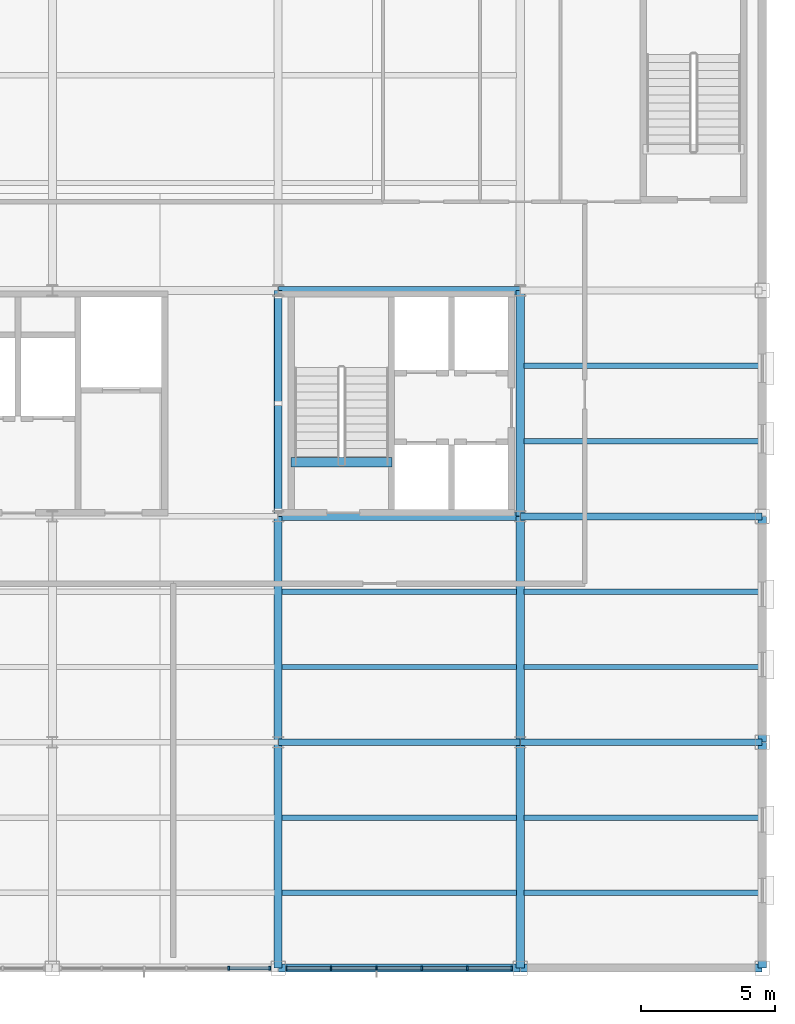
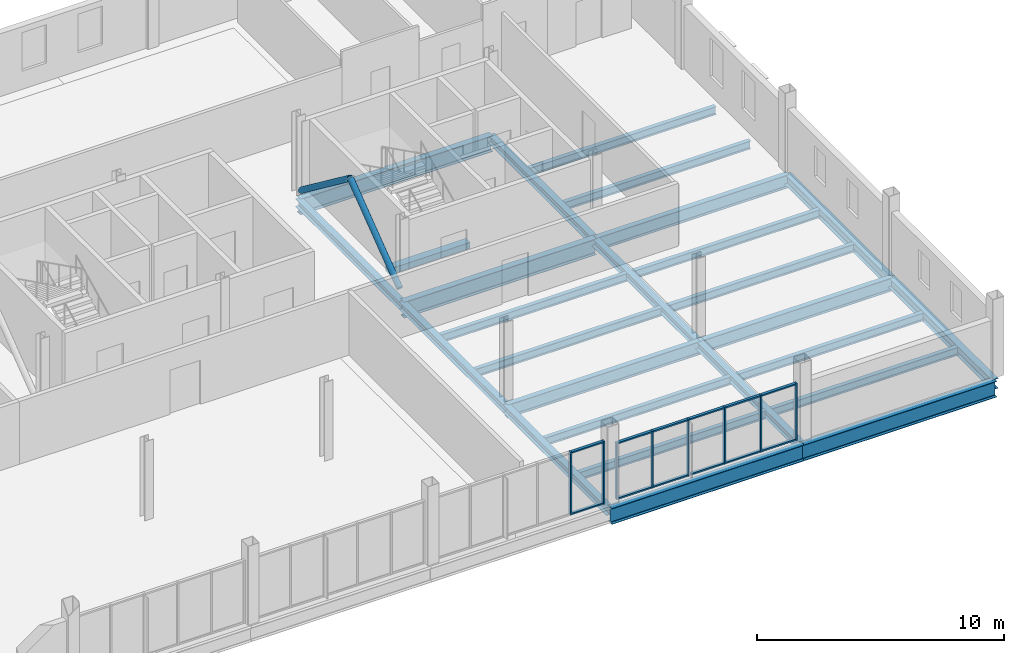
# One storey, part 7 of 17: 26 beams, 22 members, 2 elements without a shape of their own.
"""IFC4 building model written with IfcOpenShell, lengths in metres."""

from ifc_helpers import new_model, si_unit, direction, frame, origin, origin_2d, place, context, subcontext, project, spatial, rectangle, hollow_circle, i_section, extrude, material, layer, layer_set, material_profile, profile_set, type_object, element, aggregate, save


model = new_model("IFC4")

# Units and contexts
model_context = context("Model", 3, precision=1e-05, world=origin(), true_north=direction((0.0, 1.0)))
body_context = subcontext(model_context, "Body", "Model", "MODEL_VIEW")
ifc_project = project(units=[si_unit("LENGTHUNIT", "METRE"), si_unit("AREAUNIT", "SQUARE_METRE"), si_unit("VOLUMEUNIT", "CUBIC_METRE"), si_unit("PLANEANGLEUNIT", "RADIAN"), si_unit("MASSUNIT", "GRAM", prefix="KILO")], contexts=[model_context])

# Site, building, storey
site_placement = place(None, origin())
site = spatial("IfcSite", under=ifc_project, at=site_placement, CompositionType="ELEMENT")
building_placement = place(site_placement, origin())
building = spatial("IfcBuilding", under=site, at=building_placement, Name="Yukiwa Park Conservatory and Herbarium", CompositionType="ELEMENT")
storey_placement = place(building_placement, frame((0.0, 0.0, 17.10009765625)))
storey = spatial("IfcBuildingStorey", under=building, at=storey_placement, Name="L04", CompositionType="ELEMENT", Elevation=17.10009765625)

# Beams
ifc_material_1 = material(Name="Steel Q355D", Category="steel")
ifc_material_profile_1 = material_profile(ifc_material_1, i_section(OverallWidth=0.300048828125, OverallDepth=0.389892578125, WebThickness=0.010009765625, FlangeThickness=0.01611328125, FilletRadius=0.02001953125, at=origin_2d()), Name="HM 390x300x10x16")
ifc_profile_set_1 = profile_set([ifc_material_profile_1], Name="Steel Q355D")
beam_type_1 = type_object("IfcBeamType", Name="BM-GRD-HM390", PredefinedType="BEAM", material=ifc_profile_set_1)
for number, where, z_axis, x_axis, name in (
    (1, (150.0, 78.006103515625, -0.47509765625), (0.0, 1.0, 0.0), (-1.0, 0.0, 0.0), "L04 grid girder Y-46"),
    (2, (150.0, 86.406005859375, -0.47509765625), (0.0, 1.0, 0.0), (-1.0, 0.0, 0.0), "L04 grid girder Y-47"),
):
    element("IfcBeam", number, at=place(storey_placement, frame(where, z_axis=z_axis, x_axis=x_axis)), inside=storey, type_object=beam_type_1, Name=name, PredefinedType="BEAM", context=body_context, shape_type="SweptSolid", body=[
        extrude(i_section(OverallWidth=0.300048828125, OverallDepth=0.389892578125, WebThickness=0.010009765625, FlangeThickness=0.01611328125, FilletRadius=0.02001953125, at=origin_2d()), origin(), (0.0, 0.0, 1.0), 8.387939453125),
    ])
beam_1_placement = place(storey_placement, frame((150.0, 94.805908203125, -0.47509765625), z_axis=(0.0, 1.0, 0.0), x_axis=(-1.0, 0.0, 0.0)))
element("IfcBeam", 3, at=beam_1_placement, inside=storey, type_object=beam_type_1, Name="L04 grid girder Y-48", PredefinedType="BEAM", context=body_context, shape_type="SweptSolid", body=[
    extrude(i_section(OverallWidth=0.300048828125, OverallDepth=0.389892578125, WebThickness=0.010009765625, FlangeThickness=0.01611328125, FilletRadius=0.02001953125, at=origin_2d()), origin(), (0.0, 0.0, 1.0), 8.38818359375),
])
for number, where, z_axis, x_axis, name in (
    (4, (159.0, 78.006103515625, -0.47509765625), (0.0, 1.0, 0.0), (-1.0, 0.0, 0.0), "L04 grid girder Y-50"),
    (5, (159.0, 86.406005859375, -0.47509765625), (0.0, 1.0, 0.0), (-1.0, 0.0, 0.0), "L04 grid girder Y-51"),
):
    element("IfcBeam", number, at=place(storey_placement, frame(where, z_axis=z_axis, x_axis=x_axis)), inside=storey, type_object=beam_type_1, Name=name, PredefinedType="BEAM", context=body_context, shape_type="SweptSolid", body=[
        extrude(i_section(OverallWidth=0.300048828125, OverallDepth=0.389892578125, WebThickness=0.010009765625, FlangeThickness=0.01611328125, FilletRadius=0.02001953125, at=origin_2d()), origin(), (0.0, 0.0, 1.0), 8.387939453125),
    ])
beam_2_placement = place(storey_placement, frame((159.0, 94.805908203125, -0.47509765625), z_axis=(0.0, 1.0, 0.0), x_axis=(-1.0, 0.0, 0.0)))
element("IfcBeam", 6, at=beam_2_placement, inside=storey, type_object=beam_type_1, Name="L04 grid girder Y-52", PredefinedType="BEAM", context=body_context, shape_type="SweptSolid", body=[
    extrude(i_section(OverallWidth=0.300048828125, OverallDepth=0.389892578125, WebThickness=0.010009765625, FlangeThickness=0.01611328125, FilletRadius=0.02001953125, at=origin_2d()), origin(), (0.0, 0.0, 1.0), 8.38818359375),
])
ifc_material_2 = material(Name="Steel Q355D", Category="steel")
ifc_material_profile_2 = material_profile(ifc_material_2, i_section(OverallWidth=0.25, OverallDepth=0.64990234375, WebThickness=0.011962890625, FlangeThickness=0.02001953125, FilletRadius=0.02392578125, at=origin_2d()), Name="HN 650x250x12x20")
ifc_profile_set_2 = profile_set([ifc_material_profile_2], Name="Steel Q355D")
beam_type_2 = type_object("IfcBeamType", Name="BM-GRD-HN650", PredefinedType="BEAM", material=ifc_profile_set_2)
for number, where, z_axis, x_axis, name in (
    (7, (150.006103515625, 86.39990234375, -0.60498046875), (1.0, 0.0, 0.0), (0.0, 1.0, 0.0), "L04 grid beam X-11"),
    (8, (159.006103515625, 86.39990234375, -0.60498046875), (1.0, 0.0, 0.0), (0.0, 1.0, 0.0), "L04 grid beam X-12"),
    (9, (159.006103515625, 94.800048828125, -0.60498046875), (1.0, 0.0, 0.0), (0.0, 1.0, 0.0), "L04 grid beam X-18"),
):
    element("IfcBeam", number, at=place(storey_placement, frame(where, z_axis=z_axis, x_axis=x_axis)), inside=storey, type_object=beam_type_2, Name=name, PredefinedType="BEAM", context=body_context, shape_type="SweptSolid", body=[
        extrude(i_section(OverallWidth=0.25, OverallDepth=0.64990234375, WebThickness=0.011962890625, FlangeThickness=0.02001953125, FilletRadius=0.02392578125, at=origin_2d()), origin(), (0.0, 0.0, 1.0), 8.98779296875),
    ])
ifc_material_3 = material(Name="Steel Q355D", Category="steel")
ifc_material_profile_3 = material_profile(ifc_material_3, i_section(OverallWidth=0.198974609375, OverallDepth=0.39599609375, WebThickness=0.007080078125, FlangeThickness=0.010986328125, FilletRadius=0.01611328125, at=origin_2d()), Name="HN 396x199x7x11")
ifc_profile_set_3 = profile_set([ifc_material_profile_3], Name="Steel Q355D")
beam_type_3 = type_object("IfcBeamType", Name="BM-JST-HN396", PredefinedType="JOIST", material=ifc_profile_set_3)
for number, where, z_axis, x_axis, name in (
    (10, (150.14599609375, 80.800048828125, -0.47802734375), (1.0, 0.0, 0.0), (0.0, 1.0, 0.0), "L04 composite floor joist 29"),
    (11, (150.14599609375, 83.60009765625, -0.47802734375), (1.0, 0.0, 0.0), (0.0, 1.0, 0.0), "L04 composite floor joist 30"),
    (12, (150.14599609375, 89.199951171875, -0.47802734375), (1.0, 0.0, 0.0), (0.0, 1.0, 0.0), "L04 composite floor joist 31"),
    (13, (150.14599609375, 92.0, -0.47802734375), (1.0, 0.0, 0.0), (0.0, 1.0, 0.0), "L04 composite floor joist 32"),
    (14, (159.14599609375, 80.800048828125, -0.47802734375), (1.0, 0.0, 0.0), (0.0, 1.0, 0.0), "L04 composite floor joist 35"),
    (15, (159.14599609375, 83.60009765625, -0.47802734375), (1.0, 0.0, 0.0), (0.0, 1.0, 0.0), "L04 composite floor joist 36"),
    (16, (159.14599609375, 89.199951171875, -0.47802734375), (1.0, 0.0, 0.0), (0.0, 1.0, 0.0), "L04 composite floor joist 37"),
    (17, (159.14599609375, 92.0, -0.47802734375), (1.0, 0.0, 0.0), (0.0, 1.0, 0.0), "L04 composite floor joist 38"),
    (18, (159.14599609375, 97.60009765625, -0.47802734375), (1.0, 0.0, 0.0), (0.0, 1.0, 0.0), "L04 composite floor joist 39"),
    (19, (159.14599609375, 100.39990234375, -0.47802734375), (1.0, 0.0, 0.0), (0.0, 1.0, 0.0), "L04 composite floor joist 40"),
):
    element("IfcBeam", number, at=place(storey_placement, frame(where, z_axis=z_axis, x_axis=x_axis)), inside=storey, type_object=beam_type_3, Name=name, PredefinedType="JOIST", context=body_context, shape_type="SweptSolid", body=[
        extrude(i_section(OverallWidth=0.198974609375, OverallDepth=0.39599609375, WebThickness=0.007080078125, FlangeThickness=0.010986328125, FilletRadius=0.01611328125, at=origin_2d()), origin(), (0.0, 0.0, 1.0), 8.7080078125),
    ])
ifc_material_4 = material(Name="Steel Q355D", Category="steel")
ifc_material_profile_4 = material_profile(ifc_material_4, i_section(OverallWidth=0.300048828125, OverallDepth=0.5, WebThickness=0.010986328125, FlangeThickness=0.01806640625, FilletRadius=0.02392578125, at=origin_2d()), Name="HM 500x300x11x18")
ifc_profile_set_4 = profile_set([ifc_material_profile_4], Name="Steel Q355D")
beam_type_4 = type_object("IfcBeamType", Name="BM-SPN-HN500", PredefinedType="SPANDREL", material=ifc_profile_set_4)
for number, where, z_axis, x_axis, name in (
    (20, (168.0, 78.006103515625, -0.530029296875), (0.0, 1.0, 0.0), (-1.0, 0.0, 0.0), "L04 spandrel girder Y-54"),
    (21, (168.0, 86.406005859375, -0.530029296875), (0.0, 1.0, 0.0), (-1.0, 0.0, 0.0), "L04 spandrel girder Y-55"),
):
    element("IfcBeam", number, at=place(storey_placement, frame(where, z_axis=z_axis, x_axis=x_axis)), inside=storey, type_object=beam_type_4, Name=name, PredefinedType="SPANDREL", context=body_context, shape_type="SweptSolid", body=[
        extrude(i_section(OverallWidth=0.300048828125, OverallDepth=0.5, WebThickness=0.010986328125, FlangeThickness=0.01806640625, FilletRadius=0.02392578125, at=origin_2d()), origin(), (0.0, 0.0, 1.0), 8.387939453125),
    ])
ifc_material_5 = material(Name="Steel Q355D", Category="steel")
ifc_material_profile_5 = material_profile(ifc_material_5, i_section(OverallWidth=0.300048828125, OverallDepth=0.7919921875, WebThickness=0.013916015625, FlangeThickness=0.02197265625, FilletRadius=0.028076171875, at=origin_2d()), Name="HN 792x300x14x22")
ifc_profile_set_5 = profile_set([ifc_material_profile_5], Name="Steel Q355D")
beam_type_5 = type_object("IfcBeamType", Name="BM-SPN-HN600", PredefinedType="SPANDREL", material=ifc_profile_set_5)
for number, where, z_axis, x_axis, name in (
    (22, (150.006103515625, 78.0, -0.676025390625), (1.0, 0.0, 0.0), (0.0, 1.0, 0.0), "L04 spandrel beam X-5"),
    (23, (159.006103515625, 78.0, -0.676025390625), (1.0, 0.0, 0.0), (0.0, 1.0, 0.0), "L04 spandrel beam X-6"),
    (24, (150.006103515625, 94.800048828125, -0.676025390625), (1.0, 0.0, 0.0), (0.0, 1.0, 0.0), "L04 spandrel beam X-17"),
    (25, (150.006103515625, 103.199951171875, -0.676025390625), (1.0, 0.0, 0.0), (0.0, 1.0, 0.0), "L04 spandrel beam X-23"),
):
    element("IfcBeam", number, at=place(storey_placement, frame(where, z_axis=z_axis, x_axis=x_axis)), inside=storey, type_object=beam_type_5, Name=name, PredefinedType="SPANDREL", context=body_context, shape_type="SweptSolid", body=[
        extrude(i_section(OverallWidth=0.300048828125, OverallDepth=0.7919921875, WebThickness=0.013916015625, FlangeThickness=0.02197265625, FilletRadius=0.028076171875, at=origin_2d()), origin(), (0.0, 0.0, 1.0), 8.98779296875),
    ])
ifc_material_6 = material(Name="Concrete C40", Category="concrete")
ifc_material_profile_6 = material_profile(ifc_material_6, rectangle(XDim=0.35009765625, YDim=0.300048828125, at=origin_2d()), Name="RC 350x300")
ifc_profile_set_6 = profile_set([ifc_material_profile_6], Name="Concrete C40")
beam_type_6 = type_object("IfcBeamType", Name="BM-STAIR-TRIM", PredefinedType="BEAM", material=ifc_profile_set_6)
beam_3_placement = place(storey_placement, frame((150.47998046875, 96.81005859375, -0.150146484375), z_axis=(1.0, 0.0, 0.0), x_axis=(0.0, 1.0, 0.0)))
element("IfcBeam", 26, at=beam_3_placement, inside=storey, type_object=beam_type_6, Name="Stair ST-T2 L04 landing trimmer beam", PredefinedType="BEAM", context=body_context, shape_type="SweptSolid", body=[
    extrude(rectangle(XDim=0.35009765625, YDim=0.300048828125, at=origin_2d()), origin(), (0.0, 0.0, 1.0), 3.75),
])

# Members
ifc_material_7 = material(Name="Steel Q355D", Category="steel")
ifc_material_profile_7 = material_profile(ifc_material_7, hollow_circle(Radius=0.136474609375, WallThickness=0.010009765625, at=origin_2d()), Name="CHS 273x10")
ifc_profile_set_7 = profile_set([ifc_material_profile_7], Name="Steel Q355D")
member_type_1 = type_object("IfcMemberType", Name="MB-BR-CHS273", PredefinedType="BRACE", material=ifc_profile_set_7)
for number, where, z_axis, x_axis, name in (
    (27, (150.0, 95.00537109375, 0.204833984375), (0.0, 0.797689076374, 0.603068932572), (-1.0, 0.0, 0.0), "L04 concentric chevron brace 31"),
    (28, (150.0, 102.99462890625, 0.204833984375), (0.0, -0.797689076374, 0.603068932572), (1.0, 0.0, 0.0), "L04 concentric chevron brace 32"),
):
    element("IfcMember", number, at=place(storey_placement, frame(where, z_axis=z_axis, x_axis=x_axis)), inside=storey, type_object=member_type_1, Name=name, PredefinedType="BRACE", context=body_context, shape_type="SweptSolid", body=[
        extrude(hollow_circle(Radius=0.136474609375, WallThickness=0.010009765625, at=origin_2d()), origin(), (0.0, 0.0, 1.0), 5.0078125),
    ])

# Curtain wall, members
ifc_material_8 = material(Name="Triple Low-E Insulated Glass", Category="glass")
ifc_layer = layer(ifc_material_8, 0.199951171875)
ifc_layer_set = layer_set([ifc_layer], Name="Triple Low-E Insulated Glass")
curtain_wall_type = type_object("IfcCurtainWallType", Name="CW-VISITOR-1600", PredefinedType="NOTDEFINED", material=ifc_layer_set)
curtain_wall_1_placement = place(storey_placement, origin())
curtain_wall_1 = element("IfcCurtainWall", 29, at=curtain_wall_1_placement, inside=storey, type_object=curtain_wall_type, Name="L04 unitised curtain wall CW-L04-074", PredefinedType="NOTDEFINED")
ifc_material_9 = material(Name="Anodised Aluminium", Category="aluminium")
member_type_2 = type_object("IfcMemberType", Name="MB-CW-MUL-70X150", PredefinedType="MULLION", material=ifc_material_9)
member_1_placement = place(storey_placement, frame((148.155029296875, 78.0, -0.000244140625), z_axis=(0.0, 0.0, 1.0), x_axis=(1.0, 0.0, 0.0)))
member_1 = element("IfcMember", 30, at=member_1_placement, type_object=member_type_2, Name="CW-L04-074 mullion 5", PredefinedType="MULLION", context=body_context, shape_type="SweptSolid", body=[
    extrude(rectangle(XDim=0.070068359375, YDim=0.14990234375, at=origin_2d()), origin(), (0.0, 0.0, 1.0), 3.10009765625),
])
member_2_placement = place(storey_placement, frame((149.68994140625, 78.0, -0.000244140625), z_axis=(0.0, 0.0, 1.0), x_axis=(1.0, 0.0, 0.0)))
member_2 = element("IfcMember", 31, at=member_2_placement, type_object=member_type_2, Name="CW-L04-074 mullion 6", PredefinedType="MULLION", context=body_context, shape_type="SweptSolid", body=[
    extrude(rectangle(XDim=0.070068359375, YDim=0.14990234375, at=origin_2d()), origin(), (0.0, 0.0, 1.0), 3.10009765625),
])

curtain_wall_2_placement = place(storey_placement, origin())
curtain_wall_2 = element("IfcCurtainWall", 32, at=curtain_wall_2_placement, inside=storey, type_object=curtain_wall_type, Name="L04 unitised curtain wall CW-L04-075", PredefinedType="NOTDEFINED")
member_3_placement = place(storey_placement, frame((150.31005859375, 78.0, -0.000244140625), z_axis=(0.0, 0.0, 1.0), x_axis=(1.0, 0.0, 0.0)))
member_3 = element("IfcMember", 33, at=member_3_placement, type_object=member_type_2, Name="CW-L04-075 mullion 1", PredefinedType="MULLION", context=body_context, shape_type="SweptSolid", body=[
    extrude(rectangle(XDim=0.070068359375, YDim=0.14990234375, at=origin_2d()), origin(), (0.0, 0.0, 1.0), 2.80810546875),
])
member_4_placement = place(storey_placement, frame((151.965087890625, 78.0, -0.000244140625), z_axis=(0.0, 0.0, 1.0), x_axis=(1.0, 0.0, 0.0)))
member_4 = element("IfcMember", 34, at=member_4_placement, type_object=member_type_2, Name="CW-L04-075 mullion 2", PredefinedType="MULLION", context=body_context, shape_type="SweptSolid", body=[
    extrude(rectangle(XDim=0.070068359375, YDim=0.14990234375, at=origin_2d()), origin(), (0.0, 0.0, 1.0), 2.80810546875),
])
member_5_placement = place(storey_placement, frame((153.655029296875, 78.0, -0.000244140625), z_axis=(0.0, 0.0, 1.0), x_axis=(1.0, 0.0, 0.0)))
member_5 = element("IfcMember", 35, at=member_5_placement, type_object=member_type_2, Name="CW-L04-075 mullion 3", PredefinedType="MULLION", context=body_context, shape_type="SweptSolid", body=[
    extrude(rectangle(XDim=0.070068359375, YDim=0.14990234375, at=origin_2d()), origin(), (0.0, 0.0, 1.0), 2.80810546875),
])
member_6_placement = place(storey_placement, frame((155.344970703125, 78.0, -0.000244140625), z_axis=(0.0, 0.0, 1.0), x_axis=(1.0, 0.0, 0.0)))
member_6 = element("IfcMember", 36, at=member_6_placement, type_object=member_type_2, Name="CW-L04-075 mullion 4", PredefinedType="MULLION", context=body_context, shape_type="SweptSolid", body=[
    extrude(rectangle(XDim=0.070068359375, YDim=0.14990234375, at=origin_2d()), origin(), (0.0, 0.0, 1.0), 2.80810546875),
])
member_7_placement = place(storey_placement, frame((157.034912109375, 78.0, -0.000244140625), z_axis=(0.0, 0.0, 1.0), x_axis=(1.0, 0.0, 0.0)))
member_7 = element("IfcMember", 37, at=member_7_placement, type_object=member_type_2, Name="CW-L04-075 mullion 5", PredefinedType="MULLION", context=body_context, shape_type="SweptSolid", body=[
    extrude(rectangle(XDim=0.070068359375, YDim=0.14990234375, at=origin_2d()), origin(), (0.0, 0.0, 1.0), 2.80810546875),
])
member_8_placement = place(storey_placement, frame((158.68994140625, 78.0, -0.000244140625), z_axis=(0.0, 0.0, 1.0), x_axis=(1.0, 0.0, 0.0)))
member_8 = element("IfcMember", 38, at=member_8_placement, type_object=member_type_2, Name="CW-L04-075 mullion 6", PredefinedType="MULLION", context=body_context, shape_type="SweptSolid", body=[
    extrude(rectangle(XDim=0.070068359375, YDim=0.14990234375, at=origin_2d()), origin(), (0.0, 0.0, 1.0), 2.80810546875),
])

# Member
ifc_material_10 = material(Name="Anodised Aluminium", Category="aluminium")
member_type_3 = type_object("IfcMemberType", Name="MB-CW-TRN-70X130", PredefinedType="USERDEFINED", material=ifc_material_10)
member_9_placement = place(storey_placement, frame((148.93994140625, 78.0, 0.0), z_axis=(0.0, 0.0, 1.0), x_axis=(1.0, 0.0, 0.0)))
member_9 = element("IfcMember", 39, at=member_9_placement, type_object=member_type_3, Name="CW-L04-074 transom 5.1", ObjectType="TRANSOM", PredefinedType="USERDEFINED", context=body_context, shape_type="SweptSolid", body=[
    extrude(rectangle(XDim=1.5, YDim=0.1298828125, at=origin_2d()), origin(), (0.0, 0.0, 1.0), 0.070068359375),
])

member_10_placement = place(storey_placement, frame((148.93994140625, 78.0, 3.02978515625), z_axis=(0.0, 0.0, 1.0), x_axis=(1.0, 0.0, 0.0)))
member_10 = element("IfcMember", 40, at=member_10_placement, type_object=member_type_3, Name="CW-L04-074 transom 5.2", ObjectType="TRANSOM", PredefinedType="USERDEFINED", context=body_context, shape_type="SweptSolid", body=[
    extrude(rectangle(XDim=1.5, YDim=0.1298828125, at=origin_2d()), origin(), (0.0, 0.0, 1.0), 0.070068359375),
])

aggregate(curtain_wall_1, [member_1, member_2, member_9, member_10])

member_11_placement = place(storey_placement, frame((151.1201171875, 78.0, 0.0), z_axis=(0.0, 0.0, 1.0), x_axis=(1.0, 0.0, 0.0)))
member_11 = element("IfcMember", 41, at=member_11_placement, type_object=member_type_3, Name="CW-L04-075 transom 1.1", ObjectType="TRANSOM", PredefinedType="USERDEFINED", context=body_context, shape_type="SweptSolid", body=[
    extrude(rectangle(XDim=1.6201171875, YDim=0.1298828125, at=origin_2d()), origin(), (0.0, 0.0, 1.0), 0.070068359375),
])

member_12_placement = place(storey_placement, frame((151.1201171875, 78.0, 2.73779296875), z_axis=(0.0, 0.0, 1.0), x_axis=(1.0, 0.0, 0.0)))
member_12 = element("IfcMember", 42, at=member_12_placement, type_object=member_type_3, Name="CW-L04-075 transom 1.2", ObjectType="TRANSOM", PredefinedType="USERDEFINED", context=body_context, shape_type="SweptSolid", body=[
    extrude(rectangle(XDim=1.6201171875, YDim=0.1298828125, at=origin_2d()), origin(), (0.0, 0.0, 1.0), 0.070068359375),
])

member_13_placement = place(storey_placement, frame((152.81005859375, 78.0, 0.0), z_axis=(0.0, 0.0, 1.0), x_axis=(1.0, 0.0, 0.0)))
member_13 = element("IfcMember", 43, at=member_13_placement, type_object=member_type_3, Name="CW-L04-075 transom 2.1", ObjectType="TRANSOM", PredefinedType="USERDEFINED", context=body_context, shape_type="SweptSolid", body=[
    extrude(rectangle(XDim=1.6201171875, YDim=0.1298828125, at=origin_2d()), origin(), (0.0, 0.0, 1.0), 0.070068359375),
])

member_14_placement = place(storey_placement, frame((152.81005859375, 78.0, 2.73779296875), z_axis=(0.0, 0.0, 1.0), x_axis=(1.0, 0.0, 0.0)))
member_14 = element("IfcMember", 44, at=member_14_placement, type_object=member_type_3, Name="CW-L04-075 transom 2.2", ObjectType="TRANSOM", PredefinedType="USERDEFINED", context=body_context, shape_type="SweptSolid", body=[
    extrude(rectangle(XDim=1.6201171875, YDim=0.1298828125, at=origin_2d()), origin(), (0.0, 0.0, 1.0), 0.070068359375),
])

member_15_placement = place(storey_placement, frame((154.5, 78.0, 0.0), z_axis=(0.0, 0.0, 1.0), x_axis=(1.0, 0.0, 0.0)))
member_15 = element("IfcMember", 45, at=member_15_placement, type_object=member_type_3, Name="CW-L04-075 transom 3.1", ObjectType="TRANSOM", PredefinedType="USERDEFINED", context=body_context, shape_type="SweptSolid", body=[
    extrude(rectangle(XDim=1.6201171875, YDim=0.1298828125, at=origin_2d()), origin(), (0.0, 0.0, 1.0), 0.070068359375),
])

member_16_placement = place(storey_placement, frame((154.5, 78.0, 2.73779296875), z_axis=(0.0, 0.0, 1.0), x_axis=(1.0, 0.0, 0.0)))
member_16 = element("IfcMember", 46, at=member_16_placement, type_object=member_type_3, Name="CW-L04-075 transom 3.2", ObjectType="TRANSOM", PredefinedType="USERDEFINED", context=body_context, shape_type="SweptSolid", body=[
    extrude(rectangle(XDim=1.6201171875, YDim=0.1298828125, at=origin_2d()), origin(), (0.0, 0.0, 1.0), 0.070068359375),
])

member_17_placement = place(storey_placement, frame((156.18994140625, 78.0, 0.0), z_axis=(0.0, 0.0, 1.0), x_axis=(1.0, 0.0, 0.0)))
member_17 = element("IfcMember", 47, at=member_17_placement, type_object=member_type_3, Name="CW-L04-075 transom 4.1", ObjectType="TRANSOM", PredefinedType="USERDEFINED", context=body_context, shape_type="SweptSolid", body=[
    extrude(rectangle(XDim=1.6201171875, YDim=0.1298828125, at=origin_2d()), origin(), (0.0, 0.0, 1.0), 0.070068359375),
])

member_18_placement = place(storey_placement, frame((156.18994140625, 78.0, 2.73779296875), z_axis=(0.0, 0.0, 1.0), x_axis=(1.0, 0.0, 0.0)))
member_18 = element("IfcMember", 48, at=member_18_placement, type_object=member_type_3, Name="CW-L04-075 transom 4.2", ObjectType="TRANSOM", PredefinedType="USERDEFINED", context=body_context, shape_type="SweptSolid", body=[
    extrude(rectangle(XDim=1.6201171875, YDim=0.1298828125, at=origin_2d()), origin(), (0.0, 0.0, 1.0), 0.070068359375),
])

member_19_placement = place(storey_placement, frame((157.8798828125, 78.0, 0.0), z_axis=(0.0, 0.0, 1.0), x_axis=(1.0, 0.0, 0.0)))
member_19 = element("IfcMember", 49, at=member_19_placement, type_object=member_type_3, Name="CW-L04-075 transom 5.1", ObjectType="TRANSOM", PredefinedType="USERDEFINED", context=body_context, shape_type="SweptSolid", body=[
    extrude(rectangle(XDim=1.6201171875, YDim=0.1298828125, at=origin_2d()), origin(), (0.0, 0.0, 1.0), 0.070068359375),
])

member_20_placement = place(storey_placement, frame((157.8798828125, 78.0, 2.73779296875), z_axis=(0.0, 0.0, 1.0), x_axis=(1.0, 0.0, 0.0)))
member_20 = element("IfcMember", 50, at=member_20_placement, type_object=member_type_3, Name="CW-L04-075 transom 5.2", ObjectType="TRANSOM", PredefinedType="USERDEFINED", context=body_context, shape_type="SweptSolid", body=[
    extrude(rectangle(XDim=1.6201171875, YDim=0.1298828125, at=origin_2d()), origin(), (0.0, 0.0, 1.0), 0.070068359375),
])

aggregate(curtain_wall_2, [member_3, member_4, member_5, member_6, member_7, member_8, member_11, member_12, member_13, member_14, member_15, member_16, member_17, member_18, member_19, member_20])

save(model, "model.ifc")
